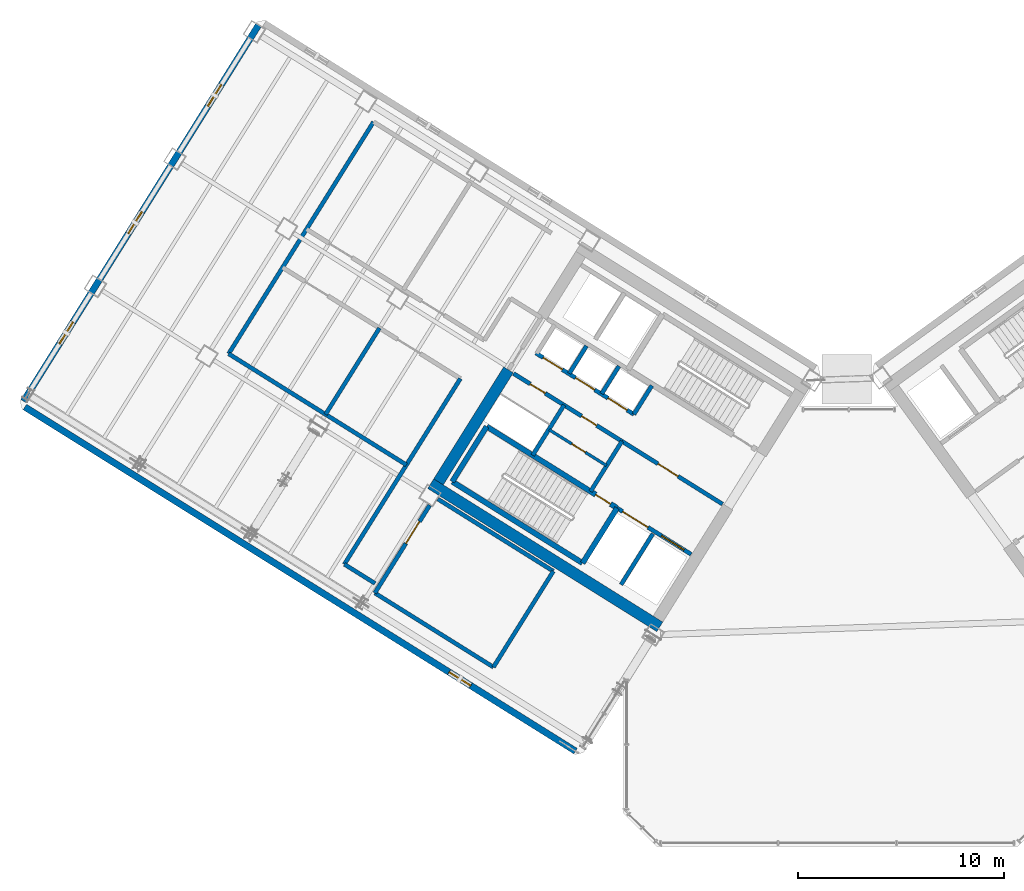
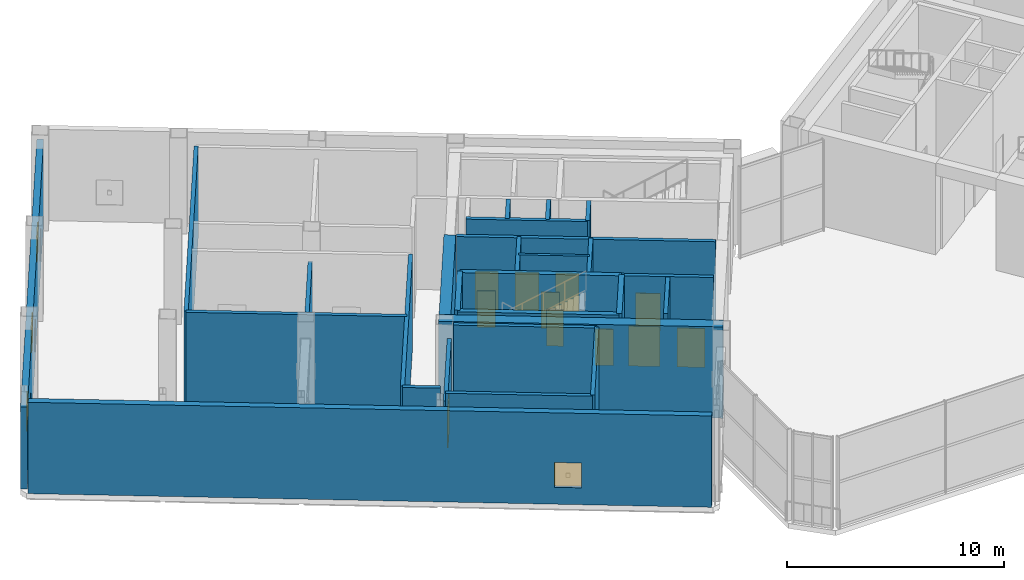
# One storey, part 21 of 30: 28 walls, 11 doors, 4 windows, 15 openings.
"""IFC4 building model written with IfcOpenShell, lengths in metres."""

from ifc_helpers import new_model, si_unit, direction, frame, frame_2d, origin, place, context, subcontext, project, spatial, rectangle, extrude, source, transform, mapped, material, layer, layer_set, type_object, element, fill, save


model = new_model("IFC4")

# Units and contexts
model_context = context("Model", 3, precision=1e-05, world=origin(), true_north=direction((0.0, 1.0)))
body_context = subcontext(model_context, "Body", "Model", "MODEL_VIEW")
ifc_project = project(units=[si_unit("LENGTHUNIT", "METRE"), si_unit("AREAUNIT", "SQUARE_METRE"), si_unit("VOLUMEUNIT", "CUBIC_METRE"), si_unit("PLANEANGLEUNIT", "RADIAN"), si_unit("MASSUNIT", "GRAM", prefix="KILO")], contexts=[model_context])

# Site, building, storey
site_placement = place(None, origin())
site = spatial("IfcSite", under=ifc_project, at=site_placement, CompositionType="ELEMENT")
building_placement = place(site_placement, origin())
building = spatial("IfcBuilding", under=site, at=building_placement, Name="Tlacorven Tower", CompositionType="ELEMENT")
storey_placement = place(building_placement, frame((0.0, 0.0, 169.5)))
storey = spatial("IfcBuildingStorey", under=building, at=storey_placement, Name="L43", CompositionType="ELEMENT", Elevation=169.5)

# Walls
ifc_material_1 = material(Name="Concrete C60/75", Category="concrete")
ifc_layer_1 = layer(ifc_material_1, 0.550048828125)
ifc_layer_set_1 = layer_set([ifc_layer_1], Name="Concrete C60/75")
wall_type_1 = type_object("IfcWallType", Name="WL-COR-550", PredefinedType="SHEAR", material=ifc_layer_set_1)
wall_1_placement = place(storey_placement, frame((33.3662109375, 12.4765625, 0.0), z_axis=(0.0, 0.0, 1.0), x_axis=(-0.848047359947, 0.529920442413, 0.0)))
element("IfcWall", 1, at=wall_1_placement, inside=storey, type_object=wall_type_1, Name="L43 W core shear wall S2", PredefinedType="SHEAR", context=body_context, shape_type="SweptSolid", body=[
    extrude(rectangle(XDim=13.139892578125, YDim=0.550048828125, at=frame_2d((6.56982421875, 0.0))), origin(), (0.0, 0.0, 1.0), 5.14990234375),
])
wall_2_placement = place(storey_placement, frame((26.006591796875, 24.975830078125, 0.0), z_axis=(0.0, 0.0, 1.0), x_axis=(-0.529923795287, -0.848045264823, 0.0)))
element("IfcWall", 2, at=wall_2_placement, inside=storey, type_object=wall_type_1, Name="L43 W core end wall E2.2", PredefinedType="SHEAR", context=body_context, shape_type="SweptSolid", body=[
    extrude(rectangle(XDim=6.425048828125, YDim=0.550048828125, at=frame_2d((3.21240234375, 0.0))), origin(), (0.0, 0.0, 1.0), 5.14990234375),
])

# Wall, opening, window
ifc_material_2 = material(Name="Precast concrete C45/55", Category="concrete")
ifc_layer_2 = layer(ifc_material_2, 0.320068359375)
ifc_layer_set_2 = layer_set([ifc_layer_2], Name="Precast concrete C45/55")
wall_type_2 = type_object("IfcWallType", Name="WL-EXT-320", PredefinedType="STANDARD", material=ifc_layer_set_2)
wall_3_placement = place(storey_placement, frame((29.267822265625, 6.429443359375, 0.0), z_axis=(0.0, 0.0, 1.0), x_axis=(-0.848049971435, 0.529916263149, 0.0)))
wall_3 = element("IfcWall", 3, at=wall_3_placement, inside=storey, type_object=wall_type_2, Name="L43 Masonry-Frame Recessed Facade Wall 1", PredefinedType="STANDARD", context=body_context, shape_type="SweptSolid", body=[
    extrude(rectangle(XDim=31.587646484375, YDim=0.320068359375, at=frame_2d((15.7939453125, 0.0))), origin(), (0.0, 0.0, 1.0), 5.14990234375),
])
opening_1_placement = place(wall_3_placement, frame((6.007080078125, 0.0, 0.949951171875)))
opening_1 = element("IfcOpeningElement", 4, at=opening_1_placement, cuts=wall_3, Name="Opening WN20", PredefinedType="OPENING", context=body_context, shape_type="SweptSolid", body=[
    extrude(rectangle(XDim=1.25, YDim=1.39990234375, at=frame_2d((0.625, 0.699951171875))), frame((0.0, 0.169921875, 0.0), z_axis=(0.0, -1.0, 0.0), x_axis=(1.0, 0.0, 0.0)), (0.0, 0.0, 1.0), 0.340087890625),
])
ifc_material_3 = material(Name="Dark solar low-E double glazing in anodised aluminium frame", Category="aluminium")
window_type = type_object("IfcWindowType", Name="WN-CRN-1250X1500", PartitioningType="SINGLE_PANEL", PredefinedType="WINDOW", material=ifc_material_3)
shared_shape_1 = source(origin(), body_context, "Body", "SweptSolid", [
    extrude(rectangle(XDim=1.25, YDim=1.39990234375, at=frame_2d((0.625, 0.699951171875))), frame((0.0, 0.030029296875, 0.0), z_axis=(0.0, -1.0, 0.0), x_axis=(1.0, 0.0, 0.0)), (0.0, 0.0, 1.0), 0.06005859375),
])
window_1_placement = place(opening_1_placement, origin())
window_1 = element("IfcWindow", 5, at=window_1_placement, inside=storey, type_object=window_type, Name="L43 Acoustic Plant Facade Window 1.1", OverallHeight=1.39990234375, OverallWidth=1.25, PartitioningType="SINGLE_PANEL", PredefinedType="WINDOW", context=body_context, shape_type="MappedRepresentation", body=[
    mapped(shared_shape_1, transform((0.0, 0.0, 0.0), scale=1.0)),
])
fill(opening_1, window_1)

# Wall, openings, windows
wall_4_placement = place(storey_placement, frame((2.41455078125, 23.452392578125, 0.0), z_axis=(0.0, 0.0, 1.0), x_axis=(0.52991049553, 0.848053575387, 0.0)))
wall_4 = element("IfcWall", 6, at=wall_4_placement, inside=storey, type_object=wall_type_2, Name="L43 Masonry-Frame Recessed Facade Wall 2", PredefinedType="STANDARD", context=body_context, shape_type="SweptSolid", body=[
    extrude(rectangle(XDim=21.58740234375, YDim=0.320068359375, at=frame_2d((10.793701171875, 0.0))), origin(), (0.0, 0.0, 1.0), 4.625),
])
opening_2_placement = place(wall_4_placement, frame((3.293701171875, 0.0, 0.949951171875)))
opening_2 = element("IfcOpeningElement", 7, at=opening_2_placement, cuts=wall_4, Name="Opening WN20", PredefinedType="OPENING", context=body_context, shape_type="SweptSolid", body=[
    extrude(rectangle(XDim=1.25, YDim=1.39990234375, at=frame_2d((0.625, 0.699951171875))), frame((0.0, 0.169921875, 0.0), z_axis=(0.0, -1.0, 0.0), x_axis=(1.0, 0.0, 0.0)), (0.0, 0.0, 1.0), 0.340087890625),
])
opening_3_placement = place(wall_4_placement, frame((9.61865234375, 0.0, 0.949951171875)))
opening_3 = element("IfcOpeningElement", 8, at=opening_3_placement, cuts=wall_4, Name="Opening WN20", PredefinedType="OPENING", context=body_context, shape_type="SweptSolid", body=[
    extrude(rectangle(XDim=1.25, YDim=1.39990234375, at=frame_2d((0.625, 0.699951171875))), frame((0.0, 0.169921875, 0.0), z_axis=(0.0, -1.0, 0.0), x_axis=(1.0, 0.0, 0.0)), (0.0, 0.0, 1.0), 0.340087890625),
])
opening_4_placement = place(wall_4_placement, frame((16.918701171875, 0.0, 0.949951171875)))
opening_4 = element("IfcOpeningElement", 9, at=opening_4_placement, cuts=wall_4, Name="Opening WN20", PredefinedType="OPENING", context=body_context, shape_type="SweptSolid", body=[
    extrude(rectangle(XDim=1.25, YDim=1.39990234375, at=frame_2d((0.625, 0.699951171875))), frame((0.0, 0.169921875, 0.0), z_axis=(0.0, -1.0, 0.0), x_axis=(1.0, 0.0, 0.0)), (0.0, 0.0, 1.0), 0.340087890625),
])
window_2_placement = place(opening_2_placement, origin())
window_2 = element("IfcWindow", 10, at=window_2_placement, inside=storey, type_object=window_type, Name="L43 Acoustic Plant Facade Window 2.1", OverallHeight=1.39990234375, OverallWidth=1.25, PartitioningType="SINGLE_PANEL", PredefinedType="WINDOW", context=body_context, shape_type="MappedRepresentation", body=[
    mapped(shared_shape_1, transform((0.0, 0.0, 0.0), scale=1.0)),
])
fill(opening_2, window_2)
window_3_placement = place(opening_3_placement, origin())
window_3 = element("IfcWindow", 11, at=window_3_placement, inside=storey, type_object=window_type, Name="L43 Acoustic Plant Facade Window 2.2", OverallHeight=1.39990234375, OverallWidth=1.25, PartitioningType="SINGLE_PANEL", PredefinedType="WINDOW", context=body_context, shape_type="MappedRepresentation", body=[
    mapped(shared_shape_1, transform((0.0, 0.0, 0.0), scale=1.0)),
])
fill(opening_3, window_3)
window_4_placement = place(opening_4_placement, origin())
window_4 = element("IfcWindow", 12, at=window_4_placement, inside=storey, type_object=window_type, Name="L43 Acoustic Plant Facade Window 2.3", OverallHeight=1.39990234375, OverallWidth=1.25, PartitioningType="SINGLE_PANEL", PredefinedType="WINDOW", context=body_context, shape_type="MappedRepresentation", body=[
    mapped(shared_shape_1, transform((0.0, 0.0, 0.0), scale=1.0)),
])
fill(opening_4, window_4)

# Wall, opening, door
ifc_material_4 = material(Name="Moisture-resistant gypsum plumbing wall", Category="gypsum")
ifc_layer_3 = layer(ifc_material_4, 0.139892578125)
ifc_layer_set_3 = layer_set([ifc_layer_3], Name="Moisture-resistant gypsum plumbing wall")
wall_type_3 = type_object("IfcWallType", Name="WL-PLM-140", PredefinedType="PLUMBINGWALL", material=ifc_layer_set_3)
wall_5_placement = place(storey_placement, frame((30.766357421875, 20.3271484375, 0.0), z_axis=(0.0, 0.0, 1.0), x_axis=(-0.848052663127, 0.529911955482, 0.0)))
wall_5 = element("IfcWall", 13, at=wall_5_placement, inside=storey, type_object=wall_type_3, Name="L43 partition 23", PredefinedType="PLUMBINGWALL", context=body_context, shape_type="SweptSolid", body=[
    extrude(rectangle(XDim=3.27978515625, YDim=0.139892578125, at=frame_2d((1.639892578125, 0.0))), origin(), (0.0, 0.0, 1.0), 5.139892578125),
])
opening_5_placement = place(wall_5_placement, frame((1.199951171875, 0.0, 0.0)))
opening_5 = element("IfcOpeningElement", 14, at=opening_5_placement, cuts=wall_5, Name="Opening D22", PredefinedType="OPENING", context=body_context, shape_type="SweptSolid", body=[
    extrude(rectangle(XDim=0.780029296875, YDim=2.050048828125, at=frame_2d((0.39013671875, 1.02490234375))), frame((0.0, 0.080078125, 0.0), z_axis=(0.0, -1.0, 0.0), x_axis=(1.0, 0.0, 0.0)), (0.0, 0.0, 1.0), 0.159912109375),
])
ifc_material_5 = material(Name="Powder-coated aluminium and timber door", Category="wood")
door_type_1 = type_object("IfcDoorType", Name="DR-INT-WET-0780", OperationType="NOTDEFINED", PredefinedType="DOOR", material=ifc_material_5)
shared_shape_2 = source(origin(), body_context, "Body", "SweptSolid", [
    extrude(rectangle(XDim=0.780029296875, YDim=2.050048828125, at=frame_2d((0.39013671875, 1.02490234375))), frame((0.0, 0.02490234375, 0.0), z_axis=(0.0, -1.0, 0.0), x_axis=(1.0, 0.0, 0.0)), (0.0, 0.0, 1.0), 0.050048828125),
])
door_1_placement = place(opening_5_placement, origin())
door_1 = element("IfcDoor", 15, at=door_1_placement, inside=storey, type_object=door_type_1, Name="L43 door 011", OperationType="SINGLE_SWING_RIGHT", OverallHeight=2.050048828125, OverallWidth=0.780029296875, PredefinedType="DOOR", context=body_context, shape_type="MappedRepresentation", body=[
    mapped(shared_shape_2, transform((0.0, 0.0, 0.0), scale=1.0)),
])
fill(opening_5, door_1)

# Wall, openings, doors
ifc_material_6 = material(Name="Concrete C40/50", Category="concrete")
ifc_layer_4 = layer(ifc_material_6, 0.199951171875)
ifc_layer_set_4 = layer_set([ifc_layer_4], Name="Concrete C40/50")
wall_type_4 = type_object("IfcWallType", Name="WL-SHF-200", PredefinedType="STANDARD", material=ifc_layer_set_4)
wall_6_placement = place(storey_placement, frame((34.890625, 16.0048828125, 0.0), z_axis=(0.0, 0.0, 1.0), x_axis=(-0.848062873452, 0.529895614884, 0.0)))
wall_6 = element("IfcWall", 16, at=wall_6_placement, inside=storey, type_object=wall_type_4, Name="L43 Core W Firefighting Lift Shaft Front Wall", PredefinedType="STANDARD", context=body_context, shape_type="SweptSolid", body=[
    extrude(rectangle(XDim=4.248046875, YDim=0.199951171875, at=frame_2d((2.1240234375, 0.0))), origin(), (0.0, 0.0, 1.0), 5.139892578125),
])
opening_6_placement = place(wall_6_placement, frame((0.39794921875, 0.0, 0.0)))
opening_6 = element("IfcOpeningElement", 17, at=opening_6_placement, cuts=wall_6, Name="Opening LD03", PredefinedType="OPENING", context=body_context, shape_type="SweptSolid", body=[
    extrude(rectangle(XDim=1.300048828125, YDim=2.199951171875, at=frame_2d((0.64990234375, 1.10009765625))), frame((0.0, 0.10986328125, 0.0), z_axis=(0.0, -1.0, 0.0), x_axis=(1.0, 0.0, 0.0)), (0.0, 0.0, 1.0), 0.219970703125),
])
opening_7_placement = place(wall_6_placement, frame((2.472900390625, 0.0, 0.0)))
opening_7 = element("IfcOpeningElement", 18, at=opening_7_placement, cuts=wall_6, Name="Opening LD04", PredefinedType="OPENING", context=body_context, shape_type="SweptSolid", body=[
    extrude(rectangle(XDim=1.449951171875, YDim=2.25, at=frame_2d((0.72509765625, 1.125))), frame((0.0, 0.10986328125, 0.0), z_axis=(0.0, -1.0, 0.0), x_axis=(1.0, 0.0, 0.0)), (0.0, 0.0, 1.0), 0.219970703125),
])
ifc_material_7 = material(Name="Fire-rated steel door assembly", Category="steel")
door_type_2 = type_object("IfcDoorType", Name="DR-LFT-SLID-1300", OperationType="DOUBLE_DOOR_SLIDING", PredefinedType="DOOR", material=ifc_material_7)
shared_shape_3 = source(origin(), body_context, "Body", "SweptSolid", [
    extrude(rectangle(XDim=1.300048828125, YDim=2.199951171875, at=frame_2d((0.64990234375, 1.10009765625))), frame((0.0, 0.02490234375, 0.0), z_axis=(0.0, -1.0, 0.0), x_axis=(1.0, 0.0, 0.0)), (0.0, 0.0, 1.0), 0.050048828125),
])
door_2_placement = place(opening_6_placement, origin())
door_2 = element("IfcDoor", 19, at=door_2_placement, inside=storey, type_object=door_type_2, Name="L43 Lift FFL-W1 Sliding Landing Door", OperationType="DOUBLE_DOOR_SLIDING", OverallHeight=2.199951171875, OverallWidth=1.300048828125, PredefinedType="DOOR", context=body_context, shape_type="MappedRepresentation", body=[
    mapped(shared_shape_3, transform((0.0, 0.0, 0.0), scale=1.0)),
])
fill(opening_6, door_2)
door_type_3 = type_object("IfcDoorType", Name="DR-LFT-SLID-1450", OperationType="DOUBLE_DOOR_SLIDING", PredefinedType="DOOR", material=ifc_material_7)
shared_shape_4 = source(origin(), body_context, "Body", "SweptSolid", [
    extrude(rectangle(XDim=1.449951171875, YDim=2.25, at=frame_2d((0.72509765625, 1.125))), frame((0.0, 0.02490234375, 0.0), z_axis=(0.0, -1.0, 0.0), x_axis=(1.0, 0.0, 0.0)), (0.0, 0.0, 1.0), 0.050048828125),
])
door_3_placement = place(opening_7_placement, origin())
door_3 = element("IfcDoor", 20, at=door_3_placement, inside=storey, type_object=door_type_3, Name="L43 Lift SVL-W1 Sliding Landing Door", OperationType="DOUBLE_DOOR_SLIDING", OverallHeight=2.25, OverallWidth=1.449951171875, PredefinedType="DOOR", context=body_context, shape_type="MappedRepresentation", body=[
    mapped(shared_shape_4, transform((0.0, 0.0, 0.0), scale=1.0)),
])
fill(opening_7, door_3)

# Wall, opening, door
wall_7_placement = place(storey_placement, frame((36.416748046875, 18.447265625, 0.0), z_axis=(0.0, 0.0, 1.0), x_axis=(-0.848064879198, 0.529892404805, 0.0)))
wall_7 = element("IfcWall", 21, at=wall_7_placement, inside=storey, type_object=wall_type_4, Name="L43 Core W Smoke Lobby Wall", PredefinedType="STANDARD", context=body_context, shape_type="SweptSolid", body=[
    extrude(rectangle(XDim=5.76806640625, YDim=0.199951171875, at=frame_2d((2.884033203125, 0.0))), origin(), (0.0, 0.0, 1.0), 5.139892578125),
])
opening_8_placement = place(wall_7_placement, frame((2.548095703125, 0.0, 0.0)))
opening_8 = element("IfcOpeningElement", 22, at=opening_8_placement, cuts=wall_7, Name="Opening D09", PredefinedType="OPENING", context=body_context, shape_type="SweptSolid", body=[
    extrude(rectangle(XDim=1.14990234375, YDim=2.10009765625, at=frame_2d((0.574951171875, 1.050048828125))), frame((0.0, 0.10986328125, 0.0), z_axis=(0.0, -1.0, 0.0), x_axis=(1.0, 0.0, 0.0)), (0.0, 0.0, 1.0), 0.219970703125),
])
door_type_4 = type_object("IfcDoorType", Name="DR-FFL-FD60-1150", OperationType="NOTDEFINED", PredefinedType="DOOR", material=ifc_material_7)
shared_shape_5 = source(origin(), body_context, "Body", "SweptSolid", [
    extrude(rectangle(XDim=1.14990234375, YDim=2.10009765625, at=frame_2d((0.574951171875, 1.050048828125))), frame((0.0, 0.02490234375, 0.0), z_axis=(0.0, -1.0, 0.0), x_axis=(1.0, 0.0, 0.0)), (0.0, 0.0, 1.0), 0.050048828125),
])
door_4_placement = place(opening_8_placement, origin())
door_4 = element("IfcDoor", 23, at=door_4_placement, inside=storey, type_object=door_type_4, Name="L43 Firefighting Lobby W Fire Door", OperationType="SINGLE_SWING_LEFT", OverallHeight=2.10009765625, OverallWidth=1.14990234375, PredefinedType="DOOR", context=body_context, shape_type="MappedRepresentation", body=[
    mapped(shared_shape_5, transform((0.0, 0.0, 0.0), scale=1.0)),
])
fill(opening_8, door_4)

# Wall, openings, doors
wall_8_placement = place(storey_placement, frame((32.108154296875, 22.81396484375, 0.0), z_axis=(0.0, 0.0, 1.0), x_axis=(-0.848042229521, 0.529928652696, 0.0)))
wall_8 = element("IfcWall", 24, at=wall_8_placement, inside=storey, type_object=wall_type_4, Name="L43 partition 11", PredefinedType="STANDARD", context=body_context, shape_type="SweptSolid", body=[
    extrude(rectangle(XDim=5.6201171875, YDim=0.199951171875, at=frame_2d((2.81005859375, 0.0))), origin(), (0.0, 0.0, 1.0), 5.139892578125),
])
opening_9_placement = place(wall_8_placement, frame((0.389892578125, 0.0, 0.0)))
opening_9 = element("IfcOpeningElement", 25, at=opening_9_placement, cuts=wall_8, Name="Opening LD01", PredefinedType="OPENING", context=body_context, shape_type="SweptSolid", body=[
    extrude(rectangle(XDim=1.10009765625, YDim=2.14990234375, at=frame_2d((0.550048828125, 1.074951171875))), frame((0.0, 0.10986328125, 0.0), z_axis=(0.0, -1.0, 0.0), x_axis=(1.0, 0.0, 0.0)), (0.0, 0.0, 1.0), 0.219970703125),
])
opening_10_placement = place(wall_8_placement, frame((2.25, 0.0, 0.0)))
opening_10 = element("IfcOpeningElement", 26, at=opening_10_placement, cuts=wall_8, Name="Opening LD01", PredefinedType="OPENING", context=body_context, shape_type="SweptSolid", body=[
    extrude(rectangle(XDim=1.10009765625, YDim=2.14990234375, at=frame_2d((0.550048828125, 1.074951171875))), frame((0.0, 0.10986328125, 0.0), z_axis=(0.0, -1.0, 0.0), x_axis=(1.0, 0.0, 0.0)), (0.0, 0.0, 1.0), 0.219970703125),
])
opening_11_placement = place(wall_8_placement, frame((4.110107421875, 0.0, 0.0)))
opening_11 = element("IfcOpeningElement", 27, at=opening_11_placement, cuts=wall_8, Name="Opening LD01", PredefinedType="OPENING", context=body_context, shape_type="SweptSolid", body=[
    extrude(rectangle(XDim=1.10009765625, YDim=2.14990234375, at=frame_2d((0.550048828125, 1.074951171875))), frame((0.0, 0.10986328125, 0.0), z_axis=(0.0, -1.0, 0.0), x_axis=(1.0, 0.0, 0.0)), (0.0, 0.0, 1.0), 0.219970703125),
])
door_type_5 = type_object("IfcDoorType", Name="DR-LFT-SLID-1100", OperationType="DOUBLE_DOOR_SLIDING", PredefinedType="DOOR", material=ifc_material_7)
shared_shape_6 = source(origin(), body_context, "Body", "SweptSolid", [
    extrude(rectangle(XDim=1.10009765625, YDim=2.14990234375, at=frame_2d((0.550048828125, 1.074951171875))), frame((0.0, 0.02490234375, 0.0), z_axis=(0.0, -1.0, 0.0), x_axis=(1.0, 0.0, 0.0)), (0.0, 0.0, 1.0), 0.050048828125),
])
door_5_placement = place(opening_9_placement, origin())
door_5 = element("IfcDoor", 28, at=door_5_placement, inside=storey, type_object=door_type_5, Name="L43 Lift PL-M1 Sliding Landing Door", OperationType="DOUBLE_DOOR_SLIDING", OverallHeight=2.14990234375, OverallWidth=1.10009765625, PredefinedType="DOOR", context=body_context, shape_type="MappedRepresentation", body=[
    mapped(shared_shape_6, transform((0.0, 0.0, 0.0), scale=1.0)),
])
fill(opening_9, door_5)
door_6_placement = place(opening_10_placement, origin())
door_6 = element("IfcDoor", 29, at=door_6_placement, inside=storey, type_object=door_type_5, Name="L43 Lift PL-M2 Sliding Landing Door", OperationType="DOUBLE_DOOR_SLIDING", OverallHeight=2.14990234375, OverallWidth=1.10009765625, PredefinedType="DOOR", context=body_context, shape_type="MappedRepresentation", body=[
    mapped(shared_shape_6, transform((0.0, 0.0, 0.0), scale=1.0)),
])
fill(opening_10, door_6)
door_7_placement = place(opening_11_placement, origin())
door_7 = element("IfcDoor", 30, at=door_7_placement, inside=storey, type_object=door_type_5, Name="L43 Lift PL-M3 Sliding Landing Door", OperationType="DOUBLE_DOOR_SLIDING", OverallHeight=2.14990234375, OverallWidth=1.10009765625, PredefinedType="DOOR", context=body_context, shape_type="MappedRepresentation", body=[
    mapped(shared_shape_6, transform((0.0, 0.0, 0.0), scale=1.0)),
])
fill(opening_11, door_7)

# Walls
wall_9_placement = place(storey_placement, frame((32.982421875, 24.21337890625, 0.0), z_axis=(0.0, 0.0, 1.0), x_axis=(-0.529839334948, -0.84809803628, 0.0)))
element("IfcWall", 31, at=wall_9_placement, inside=storey, type_object=wall_type_4, Name="L43 partition 12", PredefinedType="STANDARD", context=body_context, shape_type="SweptSolid", body=[
    extrude(rectangle(XDim=1.650146484375, YDim=0.199951171875, at=frame_2d((0.8251953125, 0.0))), origin(), (0.0, 0.0, 1.0), 5.139892578125),
])
wall_10_placement = place(storey_placement, frame((33.02880859375, 17.003173828125, 0.0), z_axis=(0.0, 0.0, 1.0), x_axis=(-0.529916267533, -0.848049968695, 0.0)))
element("IfcWall", 32, at=wall_10_placement, inside=storey, type_object=wall_type_4, Name="L43 partition 14", PredefinedType="STANDARD", context=body_context, shape_type="SweptSolid", body=[
    extrude(rectangle(XDim=2.919921875, YDim=0.199951171875, at=frame_2d((1.4599609375, 0.0))), origin(), (0.0, 0.0, 1.0), 5.139892578125),
])
for number, where, z_axis, x_axis, name in (
    (33, (31.378662109375, 25.156494140625, 0.0), (0.0, 0.0, 1.0), (-0.529998940003, -0.847998304005, 0.0), "L43 partition 18"),
    (34, (29.80126953125, 26.14208984375, 0.0), (0.0, 0.0, 1.0), (-0.529998940003, -0.847998304005, 0.0), "L43 partition 19"),
):
    element("IfcWall", number, at=place(storey_placement, frame(where, z_axis=z_axis, x_axis=x_axis)), inside=storey, type_object=wall_type_4, Name=name, PredefinedType="STANDARD", context=body_context, shape_type="SweptSolid", body=[
        extrude(rectangle(XDim=1.580078125, YDim=0.199951171875, at=frame_2d((0.7900390625, 0.0))), origin(), (0.0, 0.0, 1.0), 5.139892578125),
    ])
for number, where, z_axis, x_axis, name in (
    (35, (31.525146484375, 21.503662109375, 0.0), (0.0, 0.0, 1.0), (-0.529907497854, -0.848055448493, 0.0), "L43 partition 20"),
    (36, (28.709716796875, 23.26318359375, 0.0), (0.0, 0.0, 1.0), (-0.529907497854, -0.848055448493, 0.0), "L43 partition 21"),
):
    element("IfcWall", number, at=place(storey_placement, frame(where, z_axis=z_axis, x_axis=x_axis)), inside=storey, type_object=wall_type_4, Name=name, PredefinedType="STANDARD", context=body_context, shape_type="SweptSolid", body=[
        extrude(rectangle(XDim=2.8798828125, YDim=0.199951171875, at=frame_2d((1.43994140625, 0.0))), origin(), (0.0, 0.0, 1.0), 5.139892578125),
    ])

# Wall, openings, doors
wall_11_placement = place(storey_placement, frame((31.525146484375, 21.503662109375, 0.0), z_axis=(0.0, 0.0, 1.0), x_axis=(-0.848040211232, 0.529931882541, 0.0)))
wall_11 = element("IfcWall", 37, at=wall_11_placement, inside=storey, type_object=wall_type_4, Name="L43 Core W North Service Wall", PredefinedType="STANDARD", context=body_context, shape_type="SweptSolid", body=[
    extrude(rectangle(XDim=6.218017578125, YDim=0.199951171875, at=frame_2d((3.10888671875, 0.0))), origin(), (0.0, 0.0, 1.0), 5.139892578125),
])
opening_12_placement = place(wall_11_placement, frame((4.39990234375, 0.0, 0.0)))
opening_12 = element("IfcOpeningElement", 38, at=opening_12_placement, cuts=wall_11, Name="Opening D19", PredefinedType="OPENING", context=body_context, shape_type="SweptSolid", body=[
    extrude(rectangle(XDim=0.860107421875, YDim=2.050048828125, at=frame_2d((0.43017578125, 1.02490234375))), frame((0.0, 0.10986328125, 0.0), z_axis=(0.0, -1.0, 0.0), x_axis=(1.0, 0.0, 0.0)), (0.0, 0.0, 1.0), 0.219970703125),
])
opening_13_placement = place(wall_11_placement, frame((1.449951171875, 0.0, 0.0)))
opening_13 = element("IfcOpeningElement", 39, at=opening_13_placement, cuts=wall_11, Name="Opening D19", PredefinedType="OPENING", context=body_context, shape_type="SweptSolid", body=[
    extrude(rectangle(XDim=0.860107421875, YDim=2.050048828125, at=frame_2d((0.43017578125, 1.02490234375))), frame((0.0, 0.10986328125, 0.0), z_axis=(0.0, -1.0, 0.0), x_axis=(1.0, 0.0, 0.0)), (0.0, 0.0, 1.0), 0.219970703125),
])
door_type_6 = type_object("IfcDoorType", Name="DR-RSR-FD60-0860", OperationType="NOTDEFINED", PredefinedType="DOOR", material=ifc_material_7)
shared_shape_7 = source(origin(), body_context, "Body", "SweptSolid", [
    extrude(rectangle(XDim=0.860107421875, YDim=2.050048828125, at=frame_2d((0.43017578125, 1.02490234375))), frame((0.0, 0.02490234375, 0.0), z_axis=(0.0, -1.0, 0.0), x_axis=(1.0, 0.0, 0.0)), (0.0, 0.0, 1.0), 0.050048828125),
])
door_8_placement = place(opening_12_placement, frame((0.860107421875, 0.0, 0.0), z_axis=(0.0, 0.0, 1.0), x_axis=(-1.0, 0.0, 0.0)))
door_8 = element("IfcDoor", 40, at=door_8_placement, inside=storey, type_object=door_type_6, Name="L43 Electrical Riser Access Door W", OperationType="SINGLE_SWING_RIGHT", OverallHeight=2.050048828125, OverallWidth=0.860107421875, PredefinedType="DOOR", context=body_context, shape_type="MappedRepresentation", body=[
    mapped(shared_shape_7, transform((0.0, 0.0, 0.0), scale=1.0)),
])
fill(opening_12, door_8)
door_9_placement = place(opening_13_placement, frame((0.860107421875, 0.0, 0.0), z_axis=(0.0, 0.0, 1.0), x_axis=(-1.0, 0.0, 0.0)))
door_9 = element("IfcDoor", 41, at=door_9_placement, inside=storey, type_object=door_type_6, Name="L43 Cleaner Store Access Door W", OperationType="SINGLE_SWING_LEFT", OverallHeight=2.050048828125, OverallWidth=0.860107421875, PredefinedType="DOOR", context=body_context, shape_type="MappedRepresentation", body=[
    mapped(shared_shape_7, transform((0.0, 0.0, 0.0), scale=1.0)),
])
fill(opening_13, door_9)

# Walls
wall_12_placement = place(storey_placement, frame((19.44091796875, 37.037841796875, 0.0), z_axis=(0.0, 0.0, 1.0), x_axis=(-0.529936237412, -0.848037489901, 0.0)))
element("IfcWall", 42, at=wall_12_placement, inside=storey, type_object=wall_type_4, Name="L43 partition 47", PredefinedType="STANDARD", context=body_context, shape_type="SweptSolid", body=[
    extrude(rectangle(XDim=13.2998046875, YDim=0.199951171875, at=frame_2d((6.64990234375, 0.0))), origin(), (0.0, 0.0, 1.0), 5.139892578125),
])
wall_13_placement = place(storey_placement, frame((28.18798828125, 15.181640625, 0.0), z_axis=(0.0, 0.0, 1.0), x_axis=(-0.848064515696, 0.529892986571, 0.0)))
element("IfcWall", 43, at=wall_13_placement, inside=storey, type_object=wall_type_4, Name="L43 partition 49", PredefinedType="STANDARD", context=body_context, shape_type="SweptSolid", body=[
    extrude(rectangle(XDim=6.628173828125, YDim=0.199951171875, at=frame_2d((3.31396484375, 0.0))), origin(), (0.0, 0.0, 1.0), 5.139892578125),
])
wall_14_placement = place(storey_placement, frame((25.2734375, 10.517333984375, 0.0), z_axis=(0.0, 0.0, 1.0), x_axis=(-0.848048724775, 0.529918258231, 0.0)))
element("IfcWall", 44, at=wall_14_placement, inside=storey, type_object=wall_type_4, Name="L43 partition 50", PredefinedType="STANDARD", context=body_context, shape_type="SweptSolid", body=[
    extrude(rectangle(XDim=6.800048828125, YDim=0.199951171875, at=frame_2d((3.39990234375, 0.0))), origin(), (0.0, 0.0, 1.0), 5.139892578125),
])
wall_15_placement = place(storey_placement, frame((28.18798828125, 15.181640625, 0.0), z_axis=(0.0, 0.0, 1.0), x_axis=(-0.52991514706, -0.848050668838, 0.0)))
element("IfcWall", 45, at=wall_15_placement, inside=storey, type_object=wall_type_4, Name="L43 partition 51", PredefinedType="STANDARD", context=body_context, shape_type="SweptSolid", body=[
    extrude(rectangle(XDim=5.5, YDim=0.199951171875, at=frame_2d((2.75, 0.0))), origin(), (0.0, 0.0, 1.0), 5.139892578125),
])

# Wall, opening, door
wall_16_placement = place(storey_placement, frame((22.17626953125, 18.393310546875, 0.0), z_axis=(0.0, 0.0, 1.0), x_axis=(-0.529911817823, -0.848052749145, 0.0)))
wall_16 = element("IfcWall", 46, at=wall_16_placement, inside=storey, type_object=wall_type_4, Name="L43 partition 52", PredefinedType="STANDARD", context=body_context, shape_type="SweptSolid", body=[
    extrude(rectangle(XDim=5.0380859375, YDim=0.199951171875, at=frame_2d((2.51904296875, 0.0))), origin(), (0.0, 0.0, 1.0), 4.625),
])
opening_14_placement = place(wall_16_placement, frame((0.93798828125, 0.0, 0.0)))
opening_14 = element("IfcOpeningElement", 47, at=opening_14_placement, cuts=wall_16, Name="Opening D08", PredefinedType="OPENING", context=body_context, shape_type="SweptSolid", body=[
    extrude(rectangle(XDim=1.25, YDim=2.14990234375, at=frame_2d((0.625, 1.074951171875))), frame((0.0, 0.10986328125, 0.0), z_axis=(0.0, -1.0, 0.0), x_axis=(1.0, 0.0, 0.0)), (0.0, 0.0, 1.0), 0.219970703125),
])
door_type_7 = type_object("IfcDoorType", Name="DR-STR-FD90-1250", OperationType="NOTDEFINED", PredefinedType="DOOR", material=ifc_material_7)
shared_shape_8 = source(origin(), body_context, "Body", "SweptSolid", [
    extrude(rectangle(XDim=1.25, YDim=2.14990234375, at=frame_2d((0.625, 1.074951171875))), frame((0.0, 0.02490234375, 0.0), z_axis=(0.0, -1.0, 0.0), x_axis=(1.0, 0.0, 0.0)), (0.0, 0.0, 1.0), 0.050048828125),
])
door_10_placement = place(opening_14_placement, origin())
door_10 = element("IfcDoor", 48, at=door_10_placement, inside=storey, type_object=door_type_7, Name="L43 door 024", OperationType="SINGLE_SWING_RIGHT", OverallHeight=2.14990234375, OverallWidth=1.25, PredefinedType="DOOR", context=body_context, shape_type="MappedRepresentation", body=[
    mapped(shared_shape_8, transform((0.0, 0.0, 0.0), scale=1.0)),
])
fill(opening_14, door_10)

# Walls
wall_17_placement = place(storey_placement, frame((19.51513671875, 14.587158203125, 0.0), z_axis=(0.0, 0.0, 1.0), x_axis=(-0.848076222107, 0.529874250646, 0.0)))
element("IfcWall", 49, at=wall_17_placement, inside=storey, type_object=wall_type_4, Name="L43 partition 54", PredefinedType="STANDARD", context=body_context, shape_type="SweptSolid", body=[
    extrude(rectangle(XDim=1.760009765625, YDim=0.199951171875, at=frame_2d((0.8798828125, 0.0))), origin(), (0.0, 0.0, 1.0), 5.139892578125),
])
wall_18_placement = place(storey_placement, frame((23.666015625, 24.551513671875, 0.0), z_axis=(0.0, 0.0, 1.0), x_axis=(-0.529912392506, -0.848052390049, 0.0)))
element("IfcWall", 50, at=wall_18_placement, inside=storey, type_object=wall_type_4, Name="L43 partition 56", PredefinedType="STANDARD", context=body_context, shape_type="SweptSolid", body=[
    extrude(rectangle(XDim=10.64990234375, YDim=0.199951171875, at=frame_2d((5.324951171875, 0.0))), origin(), (0.0, 0.0, 1.0), 5.139892578125),
])
wall_19_placement = place(storey_placement, frame((19.731201171875, 27.010498046875, 0.0), z_axis=(0.0, 0.0, 1.0), x_axis=(-0.529896970672, -0.848062026312, 0.0)))
element("IfcWall", 51, at=wall_19_placement, inside=storey, type_object=wall_type_4, Name="L43 partition 57", PredefinedType="STANDARD", context=body_context, shape_type="SweptSolid", body=[
    extrude(rectangle(XDim=4.9501953125, YDim=0.199951171875, at=frame_2d((2.47509765625, 0.0))), origin(), (0.0, 0.0, 1.0), 4.625),
])
wall_20_placement = place(storey_placement, frame((21.04296875, 20.353759765625, 0.0), z_axis=(0.0, 0.0, 1.0), x_axis=(-0.848045364107, 0.529923636401, 0.0)))
element("IfcWall", 52, at=wall_20_placement, inside=storey, type_object=wall_type_4, Name="L43 partition 59", PredefinedType="STANDARD", context=body_context, shape_type="SweptSolid", body=[
    extrude(rectangle(XDim=10.2001953125, YDim=0.199951171875, at=frame_2d((5.10009765625, 0.0))), origin(), (0.0, 0.0, 1.0), 5.139892578125),
])
ifc_material_8 = material(Name="Concrete C50/60", Category="concrete")
ifc_layer_5 = layer(ifc_material_8, 0.260009765625)
ifc_layer_set_5 = layer_set([ifc_layer_5], Name="Concrete C50/60")
wall_type_5 = type_object("IfcWallType", Name="WL-STW-260", PredefinedType="SHEAR", material=ifc_layer_set_5)
wall_21_placement = place(storey_placement, frame((29.60498046875, 15.581298828125, 0.0), z_axis=(0.0, 0.0, 1.0), x_axis=(-0.848036911448, 0.529937163087, 0.0)))
element("IfcWall", 53, at=wall_21_placement, inside=storey, type_object=wall_type_5, Name="L43 Stair W1 Far Shear Wall", PredefinedType="SHEAR", context=body_context, shape_type="SweptSolid", body=[
    extrude(rectangle(XDim=7.4599609375, YDim=0.260009765625, at=frame_2d((3.72998046875, 0.0))), origin(), (0.0, 0.0, 1.0), 5.14990234375),
])

# Wall, opening, door
wall_22_placement = place(storey_placement, frame((31.279541015625, 18.26123046875, 0.0), z_axis=(0.0, 0.0, 1.0), x_axis=(-0.848051618787, 0.529913626805, 0.0)))
wall_22 = element("IfcWall", 54, at=wall_22_placement, inside=storey, type_object=wall_type_5, Name="L43 Stair W1 Lobby Shear Wall", PredefinedType="SHEAR", context=body_context, shape_type="SweptSolid", body=[
    extrude(rectangle(XDim=7.4599609375, YDim=0.260009765625, at=frame_2d((3.72998046875, 0.0))), origin(), (0.0, 0.0, 1.0), 5.14990234375),
])
opening_15_placement = place(wall_22_placement, frame((0.360107421875, 0.0, 0.0)))
opening_15 = element("IfcOpeningElement", 55, at=opening_15_placement, cuts=wall_22, Name="Opening D19", PredefinedType="OPENING", context=body_context, shape_type="SweptSolid", body=[
    extrude(rectangle(XDim=0.860107421875, YDim=2.050048828125, at=frame_2d((0.43017578125, 1.02490234375))), frame((0.0, 0.14013671875, 0.0), z_axis=(0.0, -1.0, 0.0), x_axis=(1.0, 0.0, 0.0)), (0.0, 0.0, 1.0), 0.280029296875),
])
door_11_placement = place(opening_15_placement, frame((0.860107421875, 0.0, 0.0), z_axis=(0.0, 0.0, 1.0), x_axis=(-1.0, 0.0, 0.0)))
door_11 = element("IfcDoor", 56, at=door_11_placement, inside=storey, type_object=door_type_6, Name="L43 Exit Stair W1 Fire Door", OperationType="SINGLE_SWING_LEFT", OverallHeight=2.050048828125, OverallWidth=0.860107421875, PredefinedType="DOOR", context=body_context, shape_type="MappedRepresentation", body=[
    mapped(shared_shape_7, transform((0.0, 0.0, 0.0), scale=1.0)),
])
fill(opening_15, door_11)

# Walls
wall_23_placement = place(storey_placement, frame((31.2880859375, 18.255859375, 0.0), z_axis=(0.0, 0.0, 1.0), x_axis=(-0.529943379326, -0.848033026897, 0.0)))
element("IfcWall", 57, at=wall_23_placement, inside=storey, type_object=wall_type_5, Name="L43 Stair W1 West Shear Wall", PredefinedType="SHEAR", context=body_context, shape_type="SweptSolid", body=[
    extrude(rectangle(XDim=3.159912109375, YDim=0.260009765625, at=frame_2d((1.580078125, 0.0))), origin(), (0.0, 0.0, 1.0), 5.14990234375),
])
wall_24_placement = place(storey_placement, frame((24.944580078125, 22.2197265625, 0.0), z_axis=(0.0, 0.0, 1.0), x_axis=(-0.529908658664, -0.84805472316, 0.0)))
element("IfcWall", 58, at=wall_24_placement, inside=storey, type_object=wall_type_5, Name="L43 Stair W1 East Shear Wall", PredefinedType="SHEAR", context=body_context, shape_type="SweptSolid", body=[
    extrude(rectangle(XDim=3.16015625, YDim=0.260009765625, at=frame_2d((1.580078125, 0.0))), origin(), (0.0, 0.0, 1.0), 5.14990234375),
])

save(model, "model.ifc")
